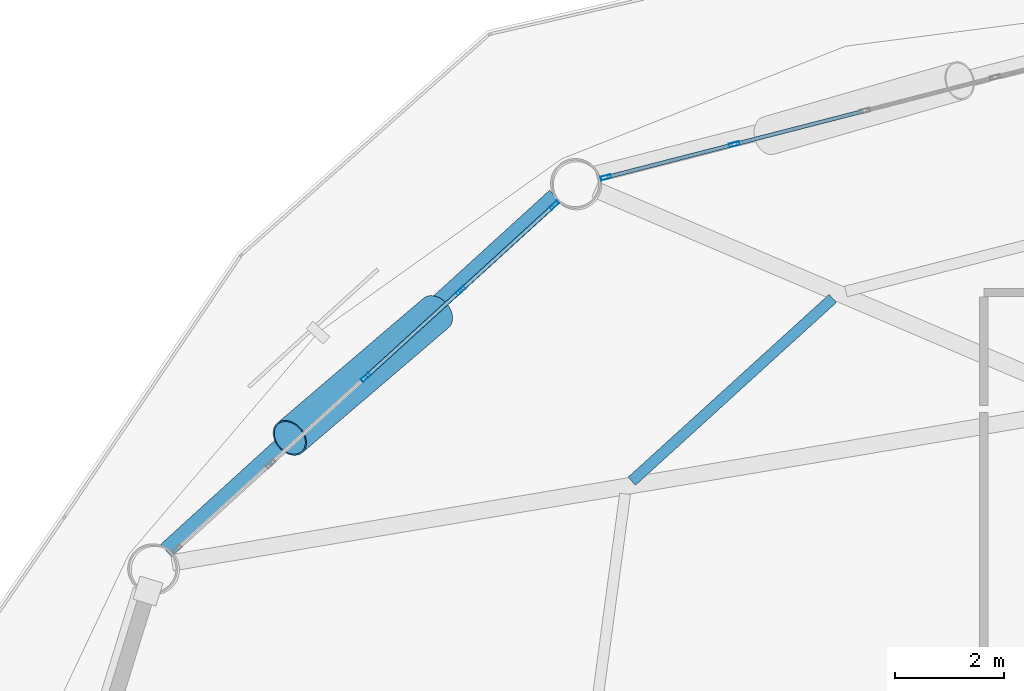
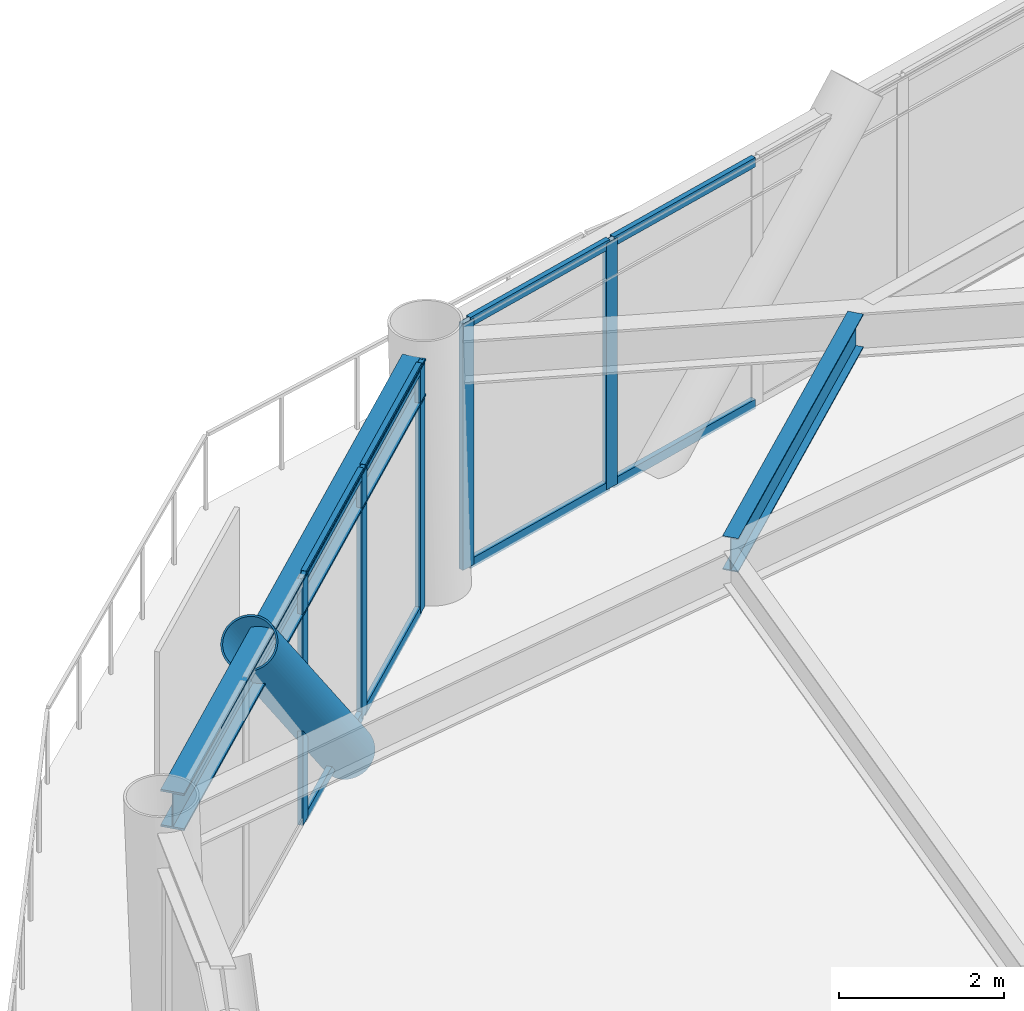
# One storey, part 15 of 25: 14 members, 2 beams, 2 elements without a shape of their own.
"""IFC4 building model written with IfcOpenShell, lengths in metres."""

from ifc_helpers import new_model, si_unit, direction, frame, origin, origin_2d, place, context, subcontext, project, spatial, hollow_rectangle, hollow_circle, i_section, extrude, material, layer, layer_set, material_profile, profile_set, type_object, element, aggregate, save


model = new_model("IFC4")

# Units and contexts
model_context = context("Model", 3, precision=1e-05, world=origin(), true_north=direction((0.0, 1.0)))
body_context = subcontext(model_context, "Body", "Model", "MODEL_VIEW")
ifc_project = project(units=[si_unit("LENGTHUNIT", "METRE"), si_unit("AREAUNIT", "SQUARE_METRE"), si_unit("VOLUMEUNIT", "CUBIC_METRE"), si_unit("PLANEANGLEUNIT", "RADIAN"), si_unit("MASSUNIT", "GRAM", prefix="KILO")], contexts=[model_context])

# Site, building, storey
site_placement = place(None, origin())
site = spatial("IfcSite", under=ifc_project, at=site_placement, CompositionType="ELEMENT")
building_placement = place(site_placement, origin())
building = spatial("IfcBuilding", under=site, at=building_placement, Name="Varnakorn Sky Granary", CompositionType="ELEMENT")
storey_placement = place(building_placement, frame((0.0, 0.0, 54.89990234375)))
storey = spatial("IfcBuildingStorey", under=building, at=storey_placement, Name="L13", CompositionType="ELEMENT", Elevation=54.89990234375)

# Beams
ifc_material_1 = material(Name="Steel S355JR", Category="steel")
ifc_material_profile_1 = material_profile(ifc_material_1, i_section(OverallWidth=0.199951171875, OverallDepth=0.5, WebThickness=0.01025390625, FlangeThickness=0.01611328125, at=origin_2d()), Name="IPE 500")
ifc_profile_set_1 = profile_set([ifc_material_profile_1], Name="Steel S355JR")
beam_type_1 = type_object("IfcBeamType", Name="BM-SEC-Z1", PredefinedType="BEAM", material=ifc_profile_set_1)
beam_1_placement = place(storey_placement, frame((-7.36669921875, 14.59228515625, 3.39013671875), z_axis=(-0.739869027919, -0.672750935731, 0.0), x_axis=(0.672750935731, -0.739869027919, 0.0)))
element("IfcBeam", 1, at=beam_1_placement, inside=storey, type_object=beam_type_1, Name="Secondary Floor Chord Beam MSB05 L13", PredefinedType="BEAM", context=body_context, shape_type="SweptSolid", body=[
    extrude(i_section(OverallWidth=0.199951171875, OverallDepth=0.5, WebThickness=0.01025390625, FlangeThickness=0.01611328125, at=origin_2d()), origin(), (0.0, 0.0, 1.0), 4.97607421875),
])
ifc_material_profile_2 = material_profile(ifc_material_1, i_section(OverallWidth=0.300048828125, OverallDepth=0.550048828125, WebThickness=0.014892578125, FlangeThickness=0.029052734375, at=origin_2d()), Name="HE 550 B")
ifc_profile_set_2 = profile_set([ifc_material_profile_2], Name="Steel S355JR")
beam_type_2 = type_object("IfcBeamType", Name="BM-SPD-Z1", PredefinedType="SPANDREL", material=ifc_profile_set_2)
beam_2_placement = place(storey_placement, frame((-12.453369140625, 16.46435546875, 3.364990234375), z_axis=(-0.739343732642, -0.673328185213, 0.0), x_axis=(0.673328185213, -0.739343732642, 0.0)))
element("IfcBeam", 2, at=beam_2_placement, inside=storey, type_object=beam_type_2, Name="Perimeter Spandrel Ring Beam RB05 L13", PredefinedType="SPANDREL", context=body_context, shape_type="SweptSolid", body=[
    extrude(i_section(OverallWidth=0.300048828125, OverallDepth=0.550048828125, WebThickness=0.014892578125, FlangeThickness=0.029052734375, at=origin_2d()), origin(), (0.0, 0.0, 1.0), 9.6376953125),
])

# Curtain wall, members
ifc_material_2 = material(Name="Anodised Bronze Aluminium Alloy 6063-T6", Category="aluminium")
ifc_layer = layer(ifc_material_2, 0.18994140625, Name="Anodised Bronze Aluminium Alloy 6063-T6")
ifc_layer_set = layer_set([ifc_layer], Name="Anodised Bronze Aluminium Alloy 6063-T6")
curtain_wall_type = type_object("IfcCurtainWallType", Name="CW-FRM-1", PredefinedType="USERDEFINED", material=ifc_layer_set)
curtain_wall_1_placement = place(storey_placement, origin())
curtain_wall_1 = element("IfcCurtainWall", 3, at=curtain_wall_1_placement, inside=storey, type_object=curtain_wall_type, Name="Unitised Curtain Wall CW3 CW-L13-B04", ObjectType="CURTAIN WALL", PredefinedType="USERDEFINED")
ifc_material_profile_3 = material_profile(ifc_material_2, hollow_rectangle(XDim=0.070068359375, YDim=0.18505859375, WallThickness=0.00390625, at=origin_2d()), Name="ALU MULL 70x185")
ifc_profile_set_3 = profile_set([ifc_material_profile_3], Name="Anodised Bronze Aluminium Alloy 6063-T6")
member_type_1 = type_object("IfcMemberType", Name="CW-FRM-1-MULL", PredefinedType="MULLION", material=ifc_profile_set_3)
member_1_placement = place(storey_placement, frame((-11.52490234375, 16.81005859375, 0.0), z_axis=(0.0, 0.0, 1.0), x_axis=(-0.248955770225, 0.96851485506, 0.0)))
member_1 = element("IfcMember", 4, at=member_1_placement, type_object=member_type_1, Name="CW3 mullion 1", PredefinedType="MULLION", context=body_context, shape_type="SweptSolid", body=[
    extrude(hollow_rectangle(XDim=0.070068359375, YDim=0.18505859375, WallThickness=0.00390625, at=origin_2d()), origin(), (0.0, 0.0, 1.0), 3.64013671875),
])
member_2_placement = place(storey_placement, frame((-9.169189453125, 17.41552734375, 0.0), z_axis=(0.0, 0.0, 1.0), x_axis=(-0.248955770225, 0.96851485506, 0.0)))
member_2 = element("IfcMember", 5, at=member_2_placement, type_object=member_type_1, Name="CW3 mullion 2", PredefinedType="MULLION", context=body_context, shape_type="SweptSolid", body=[
    extrude(hollow_rectangle(XDim=0.070068359375, YDim=0.18505859375, WallThickness=0.00390625, at=origin_2d()), origin(), (0.0, 0.0, 1.0), 3.64013671875),
])

curtain_wall_2_placement = place(storey_placement, origin())
curtain_wall_2 = element("IfcCurtainWall", 6, at=curtain_wall_2_placement, inside=storey, type_object=curtain_wall_type, Name="Unitised Curtain Wall CW3 CW-L13-B05", ObjectType="CURTAIN WALL", PredefinedType="USERDEFINED")
member_3_placement = place(storey_placement, frame((-15.924560546875, 13.1494140625, 0.0), z_axis=(0.0, 0.0, 1.0), x_axis=(-0.673686552194, 0.739017205072, 0.0)))
member_3 = element("IfcMember", 7, at=member_3_placement, type_object=member_type_1, Name="CW3 mullion 3", PredefinedType="MULLION", context=body_context, shape_type="SweptSolid", body=[
    extrude(hollow_rectangle(XDim=0.070068359375, YDim=0.18505859375, WallThickness=0.00390625, at=origin_2d()), origin(), (0.0, 0.0, 1.0), 3.64013671875),
])
member_4_placement = place(storey_placement, frame((-14.18310546875, 14.73681640625, 0.0), z_axis=(0.0, 0.0, 1.0), x_axis=(-0.673686552194, 0.739017205072, 0.0)))
member_4 = element("IfcMember", 8, at=member_4_placement, type_object=member_type_1, Name="CW3 mullion 4", PredefinedType="MULLION", context=body_context, shape_type="SweptSolid", body=[
    extrude(hollow_rectangle(XDim=0.070068359375, YDim=0.18505859375, WallThickness=0.00390625, at=origin_2d()), origin(), (0.0, 0.0, 1.0), 3.64013671875),
])
member_5_placement = place(storey_placement, frame((-12.467529296875, 16.30078125, 0.0), z_axis=(0.0, 0.0, 1.0), x_axis=(-0.673686552194, 0.739017205072, 0.0)))
member_5 = element("IfcMember", 9, at=member_5_placement, type_object=member_type_1, Name="CW3 mullion 5", PredefinedType="MULLION", context=body_context, shape_type="SweptSolid", body=[
    extrude(hollow_rectangle(XDim=0.070068359375, YDim=0.18505859375, WallThickness=0.00390625, at=origin_2d()), origin(), (0.0, 0.0, 1.0), 3.64013671875),
])

# Member
ifc_material_profile_4 = material_profile(ifc_material_2, hollow_rectangle(XDim=0.070068359375, YDim=0.139892578125, WallThickness=0.00341796875, at=origin_2d()), Name="ALU TRAN 70x140")
ifc_profile_set_4 = profile_set([ifc_material_profile_4], Name="Anodised Bronze Aluminium Alloy 6063-T6")
member_type_2 = type_object("IfcMemberType", Name="CW-FRM-1-TRAN", PredefinedType="USERDEFINED", material=ifc_profile_set_4)
member_6_placement = place(storey_placement, frame((-11.490966796875, 16.81884765625, 0.03515625), z_axis=(0.968510023727, 0.248974564845, 0.0), x_axis=(-0.248974564845, 0.968510023727, 0.0)))
member_6 = element("IfcMember", 10, at=member_6_placement, type_object=member_type_2, Name="CW3 transom 1.1", ObjectType="TRANSOM", PredefinedType="USERDEFINED", context=body_context, shape_type="SweptSolid", body=[
    extrude(hollow_rectangle(XDim=0.070068359375, YDim=0.139892578125, WallThickness=0.00341796875, at=origin_2d()), origin(), (0.0, 0.0, 1.0), 2.3623046875),
])

member_7_placement = place(storey_placement, frame((-11.490966796875, 16.81884765625, 3.60498046875), z_axis=(0.968510023727, 0.248974564845, 0.0), x_axis=(-0.248974564845, 0.968510023727, 0.0)))
member_7 = element("IfcMember", 11, at=member_7_placement, type_object=member_type_2, Name="CW3 transom 1.2", ObjectType="TRANSOM", PredefinedType="USERDEFINED", context=body_context, shape_type="SweptSolid", body=[
    extrude(hollow_rectangle(XDim=0.070068359375, YDim=0.139892578125, WallThickness=0.00341796875, at=origin_2d()), origin(), (0.0, 0.0, 1.0), 2.3623046875),
])

member_8_placement = place(storey_placement, frame((-9.135498046875, 17.42431640625, 0.03515625), z_axis=(0.968503458892, 0.24900010063, 0.0), x_axis=(-0.24900010063, 0.968503458892, 0.0)))
member_8 = element("IfcMember", 12, at=member_8_placement, type_object=member_type_2, Name="CW3 transom 2.1", ObjectType="TRANSOM", PredefinedType="USERDEFINED", context=body_context, shape_type="SweptSolid", body=[
    extrude(hollow_rectangle(XDim=0.070068359375, YDim=0.139892578125, WallThickness=0.00341796875, at=origin_2d()), origin(), (0.0, 0.0, 1.0), 2.397216796875),
])

member_9_placement = place(storey_placement, frame((-9.135498046875, 17.42431640625, 3.60498046875), z_axis=(0.968503458892, 0.24900010063, 0.0), x_axis=(-0.24900010063, 0.968503458892, 0.0)))
member_9 = element("IfcMember", 13, at=member_9_placement, type_object=member_type_2, Name="CW3 transom 2.2", ObjectType="TRANSOM", PredefinedType="USERDEFINED", context=body_context, shape_type="SweptSolid", body=[
    extrude(hollow_rectangle(XDim=0.070068359375, YDim=0.139892578125, WallThickness=0.00341796875, at=origin_2d()), origin(), (0.0, 0.0, 1.0), 2.397216796875),
])

aggregate(curtain_wall_1, [member_1, member_2, member_6, member_7, member_8, member_9])

member_10_placement = place(storey_placement, frame((-15.898681640625, 13.1728515625, 0.03515625), z_axis=(0.738973042279, 0.673734994478, 0.0), x_axis=(-0.673734994478, 0.738973042279, 0.0)))
member_10 = element("IfcMember", 14, at=member_10_placement, type_object=member_type_2, Name="CW3 transom 3.1", ObjectType="TRANSOM", PredefinedType="USERDEFINED", context=body_context, shape_type="SweptSolid", body=[
    extrude(hollow_rectangle(XDim=0.070068359375, YDim=0.139892578125, WallThickness=0.00341796875, at=origin_2d()), origin(), (0.0, 0.0, 1.0), 2.28662109375),
])

member_11_placement = place(storey_placement, frame((-15.898681640625, 13.1728515625, 3.60498046875), z_axis=(0.738973042279, 0.673734994478, 0.0), x_axis=(-0.673734994478, 0.738973042279, 0.0)))
member_11 = element("IfcMember", 15, at=member_11_placement, type_object=member_type_2, Name="CW3 transom 3.2", ObjectType="TRANSOM", PredefinedType="USERDEFINED", context=body_context, shape_type="SweptSolid", body=[
    extrude(hollow_rectangle(XDim=0.070068359375, YDim=0.139892578125, WallThickness=0.00341796875, at=origin_2d()), origin(), (0.0, 0.0, 1.0), 2.28662109375),
])

member_12_placement = place(storey_placement, frame((-14.1572265625, 14.760498046875, 0.03515625), z_axis=(0.738992363836, 0.673713801396, 0.0), x_axis=(-0.673713801396, 0.738992363836, 0.0)))
member_12 = element("IfcMember", 16, at=member_12_placement, type_object=member_type_2, Name="CW3 transom 4.1", ObjectType="TRANSOM", PredefinedType="USERDEFINED", context=body_context, shape_type="SweptSolid", body=[
    extrude(hollow_rectangle(XDim=0.070068359375, YDim=0.139892578125, WallThickness=0.00341796875, at=origin_2d()), origin(), (0.0, 0.0, 1.0), 2.25146484375),
])

member_13_placement = place(storey_placement, frame((-14.1572265625, 14.760498046875, 3.60498046875), z_axis=(0.738992363836, 0.673713801396, 0.0), x_axis=(-0.673713801396, 0.738992363836, 0.0)))
member_13 = element("IfcMember", 17, at=member_13_placement, type_object=member_type_2, Name="CW3 transom 4.2", ObjectType="TRANSOM", PredefinedType="USERDEFINED", context=body_context, shape_type="SweptSolid", body=[
    extrude(hollow_rectangle(XDim=0.070068359375, YDim=0.139892578125, WallThickness=0.00341796875, at=origin_2d()), origin(), (0.0, 0.0, 1.0), 2.25146484375),
])

aggregate(curtain_wall_2, [member_3, member_4, member_5, member_10, member_11, member_12, member_13])

ifc_material_3 = material(Name="Steel S460M", Category="steel")
ifc_material_profile_5 = material_profile(ifc_material_3, hollow_circle(Radius=0.35546875, WallThickness=0.02490234375, at=origin_2d()), Name="CHS 711x25")
ifc_profile_set_5 = profile_set([ifc_material_profile_5], Name="Steel S460M")
member_type_3 = type_object("IfcMemberType", Name="MB-DIAG-T0", PredefinedType="BRACE", material=ifc_profile_set_5)
member_14_placement = place(storey_placement, frame((-14.63623046875, 14.32373046875, -0.1298828125), z_axis=(-0.50805962244, -0.433718477176, 0.744153010208), x_axis=(0.649270210956, -0.760557817109, 0.0)))
element("IfcMember", 18, at=member_14_placement, inside=storey, type_object=member_type_3, Name="Perimeter CHS Diagrid Brace DG05 L13", PredefinedType="BRACE", context=body_context, shape_type="SweptSolid", body=[
    extrude(hollow_circle(Radius=0.35546875, WallThickness=0.02490234375, at=origin_2d()), origin(), (0.0, 0.0, 1.0), 5.267578125),
])

save(model, "model.ifc")
